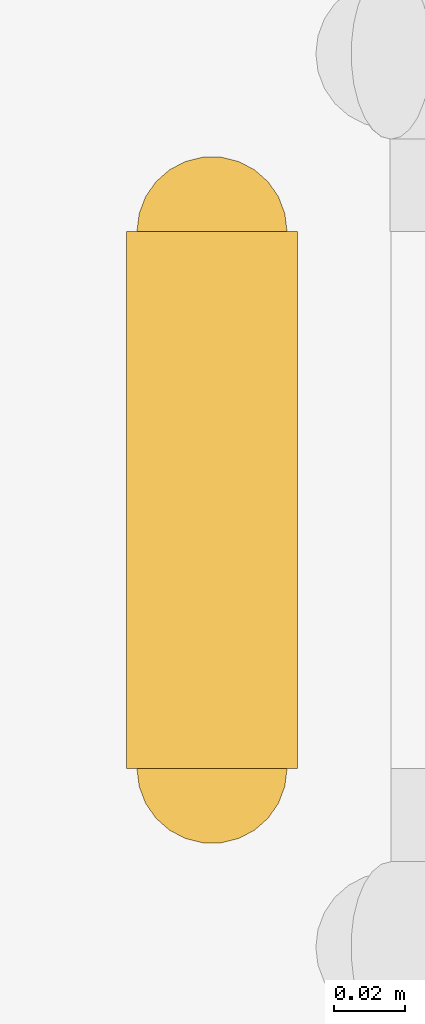
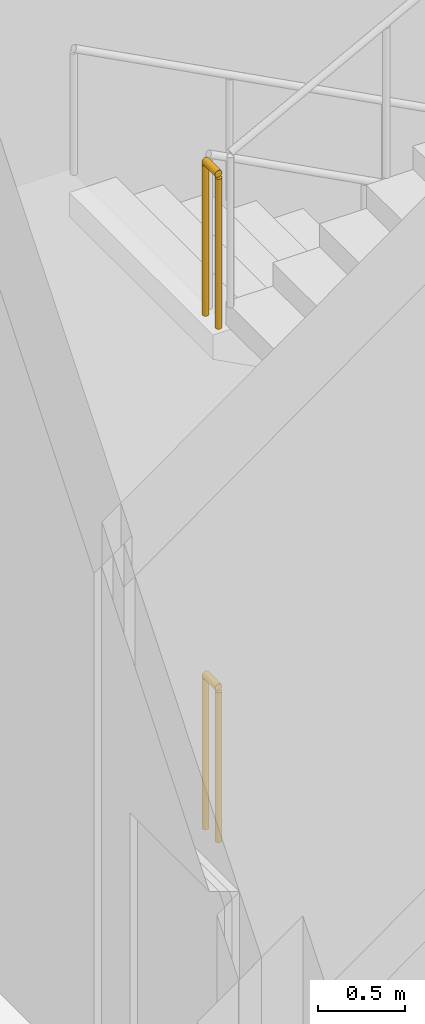
# One storey, part 27 of 30: 2 railings.
"""IFC4 building model written with IfcOpenShell, lengths in metres."""

from ifc_helpers import new_model, si_unit, direction, frame, origin, origin_2d, place, context, subcontext, project, spatial, circle, extrude, material, type_object, element, save


model = new_model("IFC4")

# Units and contexts
model_context = context("Model", 3, precision=1e-05, world=origin(), true_north=direction((0.0, 1.0)))
body_context = subcontext(model_context, "Body", "Model", "MODEL_VIEW")
ifc_project = project(units=[si_unit("LENGTHUNIT", "METRE"), si_unit("AREAUNIT", "SQUARE_METRE"), si_unit("VOLUMEUNIT", "CUBIC_METRE"), si_unit("PLANEANGLEUNIT", "RADIAN"), si_unit("MASSUNIT", "GRAM", prefix="KILO")], contexts=[model_context])

# Site, building, storey
site_placement = place(None, origin())
site = spatial("IfcSite", under=ifc_project, at=site_placement, CompositionType="ELEMENT")
building_placement = place(site_placement, origin())
building = spatial("IfcBuilding", under=site, at=building_placement, Name="Corbel Stack Research Tower", CompositionType="ELEMENT")
storey_placement = place(building_placement, origin())
storey = spatial("IfcBuildingStorey", under=building, at=storey_placement, Name="L00", CompositionType="ELEMENT", Elevation=0.0)

# Railings
ifc_material = material(Name="Steel S235", Category="steel")
railing_type = type_object("IfcRailingType", Name="HR1 guard 1100", PredefinedType="GUARDRAIL", material=ifc_material)
for number, where, name in (
    (1, (95.425048828125, 21.699951171875, 3.60009765625), "L00 HS2 stair guard 4"),
    (2, (95.425048828125, 21.699951171875, 0.0), "L00 HS2 stair guard 8"),
):
    element("IfcRailing", number, at=place(storey_placement, frame(where)), inside=storey, type_object=railing_type, Name=name, PredefinedType="GUARDRAIL", context=body_context, shape_type="SweptSolid", body=[
        extrude(circle(Radius=0.02392578125, at=origin_2d()), frame((0.0, 0.0, 1.076171875), z_axis=(0.0, 1.0, 0.0), x_axis=(-1.0, 0.0, 0.0)), (0.0, 0.0, 1.0), 0.150146484375),
        extrude(circle(Radius=0.02099609375, at=origin_2d()), origin(), (0.0, 0.0, 1.0), 1.052001953125),
        extrude(circle(Radius=0.02099609375, at=origin_2d()), frame((0.0, 0.150146484375, 0.0)), (0.0, 0.0, 1.0), 1.052001953125),
    ])

save(model, "model.ifc")
